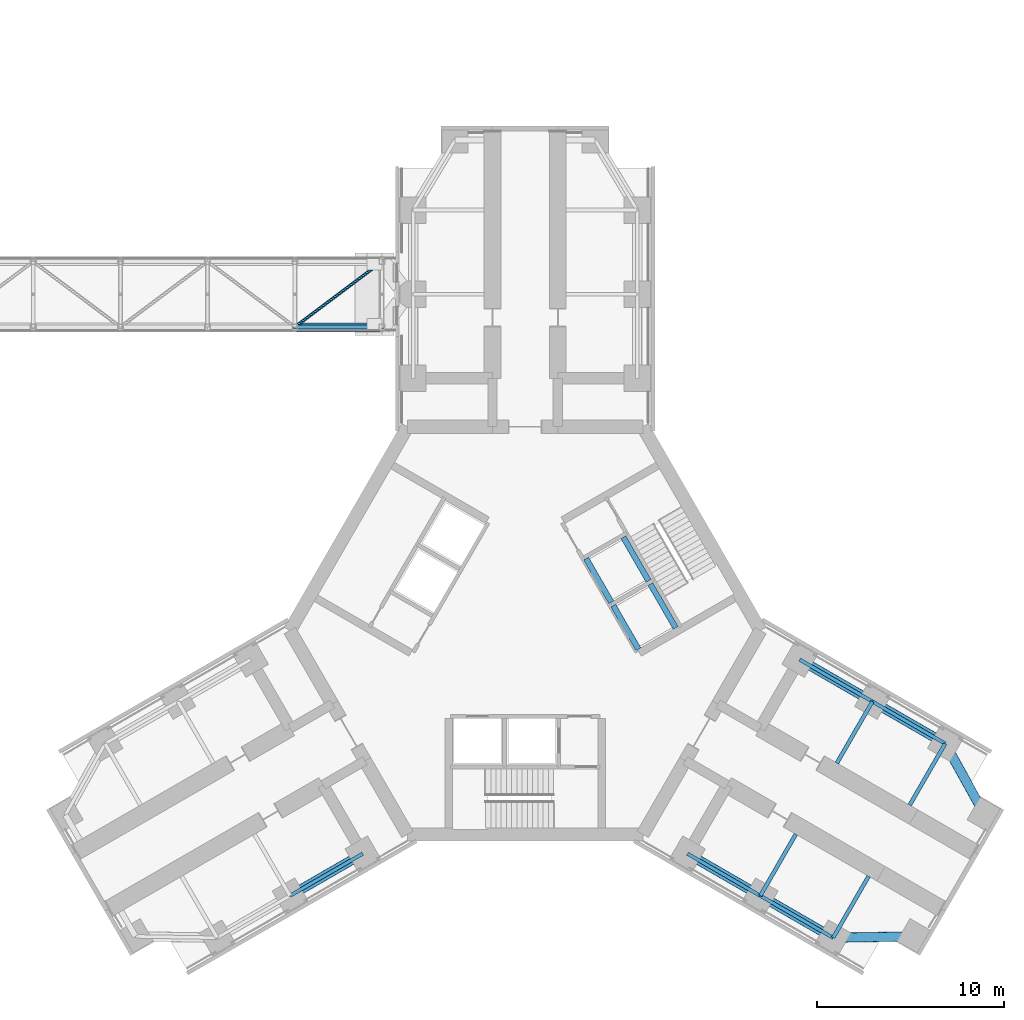
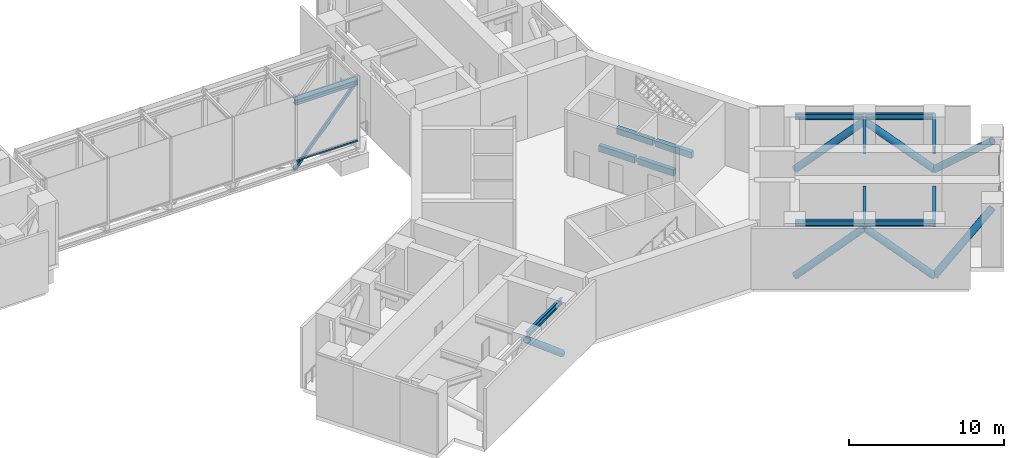
# One storey, part 5 of 17: 13 beams, 11 members, 1 element without a shape of its own.
"""IFC4 building model written with IfcOpenShell, lengths in metres."""

from ifc_helpers import new_model, si_unit, direction, frame, origin, origin_2d, place, context, subcontext, project, spatial, rectangle, hollow_rectangle, hollow_circle, i_section, extrude, material, material_profile, profile_set, type_object, element, aggregate, save


model = new_model("IFC4")

# Units and contexts
model_context = context("Model", 3, precision=1e-05, world=origin(), true_north=direction((0.0, 1.0)))
body_context = subcontext(model_context, "Body", "Model", "MODEL_VIEW")
ifc_project = project(units=[si_unit("LENGTHUNIT", "METRE"), si_unit("AREAUNIT", "SQUARE_METRE"), si_unit("VOLUMEUNIT", "CUBIC_METRE"), si_unit("PLANEANGLEUNIT", "RADIAN"), si_unit("MASSUNIT", "GRAM", prefix="KILO")], contexts=[model_context])

# Site, building, storey
site_placement = place(None, origin())
site = spatial("IfcSite", under=ifc_project, at=site_placement, CompositionType="ELEMENT")
building_placement = place(site_placement, origin())
building = spatial("IfcBuilding", under=site, at=building_placement, Name="Upepo Twin Towers", CompositionType="ELEMENT")
storey_placement = place(building_placement, frame((0.0, 0.0, 92.5)))
storey = spatial("IfcBuildingStorey", under=building, at=storey_placement, Name="L22", CompositionType="ELEMENT", Elevation=92.5)

# Beams
ifc_material_1 = material(Name="Steel S355", Category="steel")
ifc_material_profile_1 = material_profile(ifc_material_1, i_section(OverallWidth=0.1904296875, OverallDepth=0.45703125, WebThickness=0.009033203125, FlangeThickness=0.014404296875, FilletRadius=0.01025390625, at=origin_2d()), Name="UB 457x191x74")
ifc_profile_set_1 = profile_set([ifc_material_profile_1], Name="Steel S355")
beam_type_1 = type_object("IfcBeamType", Name="Beam UB 457x191x74", PredefinedType="BEAM", material=ifc_profile_set_1)
for number, where, z_axis, x_axis, name in (
    (1, (49.80859375, -29.946044921875, 4.571533203125), (-0.866017533419, -0.500013631625, 0.0), (0.500013631625, -0.866017533419, 0.0), "T2 edge beam BL 13.5-18.0"),
    (2, (73.19140625, -19.553955078125, 4.571533203125), (0.866017533419, -0.500013631625, 0.0), (0.500013631625, 0.866017533419, 0.0), "T2 edge beam CL 13.5-18.0"),
):
    element("IfcBeam", number, at=place(storey_placement, frame(where, z_axis=z_axis, x_axis=x_axis)), inside=storey, type_object=beam_type_1, Name=name, PredefinedType="BEAM", context=body_context, shape_type="SweptSolid", body=[
        extrude(i_section(OverallWidth=0.1904296875, OverallDepth=0.45703125, WebThickness=0.009033203125, FlangeThickness=0.014404296875, FilletRadius=0.01025390625, at=origin_2d()), origin(), (0.0, 0.0, 1.0), 4.499755859375),
    ])
beam_1_placement = place(storey_placement, frame((77.08837890625, -21.803955078125, 4.571533203125), z_axis=(0.866031096941, -0.499990139034, 0.0), x_axis=(0.499990139034, 0.866031096941, 0.0)))
element("IfcBeam", 3, at=beam_1_placement, inside=storey, type_object=beam_type_1, Name="T2 edge beam CL 18.0-22.5", PredefinedType="BEAM", context=body_context, shape_type="SweptSolid", body=[
    extrude(i_section(OverallWidth=0.1904296875, OverallDepth=0.45703125, WebThickness=0.009033203125, FlangeThickness=0.014404296875, FilletRadius=0.01025390625, at=origin_2d()), origin(), (0.0, 0.0, 1.0), 4.5),
])
beam_2_placement = place(storey_placement, frame((67.19140625, -29.946044921875, 4.571533203125), z_axis=(0.866017533419, -0.500013631625, 0.0), x_axis=(0.500013631625, 0.866017533419, 0.0)))
element("IfcBeam", 4, at=beam_2_placement, inside=storey, type_object=beam_type_1, Name="T2 edge beam CR 13.5-18.0", PredefinedType="BEAM", context=body_context, shape_type="SweptSolid", body=[
    extrude(i_section(OverallWidth=0.1904296875, OverallDepth=0.45703125, WebThickness=0.009033203125, FlangeThickness=0.014404296875, FilletRadius=0.01025390625, at=origin_2d()), origin(), (0.0, 0.0, 1.0), 4.499755859375),
])
beam_3_placement = place(storey_placement, frame((71.08837890625, -32.196044921875, 4.571533203125), z_axis=(0.866031096941, -0.499990139034, 0.0), x_axis=(0.499990139034, 0.866031096941, 0.0)))
element("IfcBeam", 5, at=beam_3_placement, inside=storey, type_object=beam_type_1, Name="T2 edge beam CR 18.0-22.5", PredefinedType="BEAM", context=body_context, shape_type="SweptSolid", body=[
    extrude(i_section(OverallWidth=0.1904296875, OverallDepth=0.45703125, WebThickness=0.009033203125, FlangeThickness=0.014404296875, FilletRadius=0.01025390625, at=origin_2d()), origin(), (0.0, 0.0, 1.0), 4.5),
])
ifc_material_2 = material(Name="Steel S355", Category="steel")
ifc_material_profile_2 = material_profile(ifc_material_2, i_section(OverallWidth=0.209228515625, OverallDepth=0.533203125, WebThickness=0.010009765625, FlangeThickness=0.015625, FilletRadius=0.0126953125, at=origin_2d()), Name="UB 533x210x92")
ifc_profile_set_2 = profile_set([ifc_material_profile_2], Name="Steel S355")
beam_type_2 = type_object("IfcBeamType", Name="Beam UB 533x210x92", PredefinedType="BEAM", material=ifc_profile_set_2)
for number, where, z_axis, x_axis, name in (
    (6, (77.08837890625, -21.803955078125, 4.533447265625), (-0.499994975061, -0.866028304915, 0.0), (0.866028304915, -0.499994975061, 0.0), "T2 girder CL at 18.0"),
    (7, (80.985595703125, -24.053955078125, 4.533447265625), (-0.499994975061, -0.866028304915, 0.0), (0.866028304915, -0.499994975061, 0.0), "T2 girder CL at 22.5"),
):
    element("IfcBeam", number, at=place(storey_placement, frame(where, z_axis=z_axis, x_axis=x_axis)), inside=storey, type_object=beam_type_2, Name=name, PredefinedType="BEAM", context=body_context, shape_type="SweptSolid", body=[
        extrude(i_section(OverallWidth=0.209228515625, OverallDepth=0.533203125, WebThickness=0.010009765625, FlangeThickness=0.015625, FilletRadius=0.0126953125, at=origin_2d()), origin(), (0.0, 0.0, 1.0), 3.7998046875),
    ])
beam_4_placement = place(storey_placement, frame((71.08837890625, -32.196044921875, 4.533447265625), z_axis=(0.500043160704, 0.866000483506, 0.0), x_axis=(-0.866000483506, 0.500043160704, 0.0)))
element("IfcBeam", 8, at=beam_4_placement, inside=storey, type_object=beam_type_2, Name="T2 girder CR at 18.0", PredefinedType="BEAM", context=body_context, shape_type="SweptSolid", body=[
    extrude(i_section(OverallWidth=0.209228515625, OverallDepth=0.533203125, WebThickness=0.010009765625, FlangeThickness=0.015625, FilletRadius=0.0126953125, at=origin_2d()), origin(), (0.0, 0.0, 1.0), 3.800048828125),
])
beam_5_placement = place(storey_placement, frame((74.985595703125, -34.446044921875, 4.533447265625), z_axis=(0.499994975061, 0.866028304915, 0.0), x_axis=(-0.866028304915, 0.499994975061, 0.0)))
element("IfcBeam", 9, at=beam_5_placement, inside=storey, type_object=beam_type_2, Name="T2 girder CR at 22.5", PredefinedType="BEAM", context=body_context, shape_type="SweptSolid", body=[
    extrude(i_section(OverallWidth=0.209228515625, OverallDepth=0.533203125, WebThickness=0.010009765625, FlangeThickness=0.015625, FilletRadius=0.0126953125, at=origin_2d()), origin(), (0.0, 0.0, 1.0), 3.7998046875),
])

# Members
ifc_material_3 = material(Name="Steel S355", Category="steel")
ifc_material_profile_3 = material_profile(ifc_material_3, hollow_circle(Radius=0.25390625, WallThickness=0.02490234375, at=origin_2d()), Name="CHS 508.0x25.0")
ifc_profile_set_3 = profile_set([ifc_material_profile_3], Name="Steel S355")
member_type_1 = type_object("IfcMemberType", Name="Belt truss diagonal CHS 508.0x25.0", PredefinedType="BRACE", material=ifc_profile_set_3)
for number, where, z_axis, x_axis, name in (
    (10, (49.80859375, -29.946044921875, 0.39990234375), (-0.66165225517, -0.382018994089, 0.645195924804), (0.500013631625, -0.866017533419, 0.0), "T2 belt truss diagonal BL1"),
    (11, (73.19140625, -19.553955078125, 0.39990234375), (0.66165225517, -0.382018994089, 0.645195924804), (0.500013631625, 0.866017533419, 0.0), "T2 belt truss diagonal CL1"),
):
    element("IfcMember", number, at=place(storey_placement, frame(where, z_axis=z_axis, x_axis=x_axis)), inside=storey, type_object=member_type_1, Name=name, PredefinedType="BRACE", context=body_context, shape_type="SweptSolid", body=[
        extrude(hollow_circle(Radius=0.25390625, WallThickness=0.02490234375, at=origin_2d()), origin(), (0.0, 0.0, 1.0), 5.8896484375),
    ])
member_1_placement = place(storey_placement, frame((80.985595703125, -24.053955078125, 0.39990234375), z_axis=(-0.66167555904, 0.382008516702, 0.645178229434), x_axis=(-0.499990139034, -0.866031096941, 0.0)))
element("IfcMember", 12, at=member_1_placement, inside=storey, type_object=member_type_1, Name="T2 belt truss diagonal CL2", PredefinedType="BRACE", context=body_context, shape_type="SweptSolid", body=[
    extrude(hollow_circle(Radius=0.25390625, WallThickness=0.02490234375, at=origin_2d()), origin(), (0.0, 0.0, 1.0), 5.889892578125),
])
member_2_placement = place(storey_placement, frame((80.985595703125, -24.053955078125, 0.39990234375), z_axis=(0.366368792053, -0.659961082626, 0.65591560252), x_axis=(0.874312600038, 0.485363242752, 0.0)))
element("IfcMember", 13, at=member_2_placement, inside=storey, type_object=member_type_1, Name="T2 belt truss nose diagonal CL", PredefinedType="BRACE", context=body_context, shape_type="SweptSolid", body=[
    extrude(hollow_circle(Radius=0.25390625, WallThickness=0.02490234375, at=origin_2d()), origin(), (0.0, 0.0, 1.0), 5.79345703125),
])
member_3_placement = place(storey_placement, frame((67.19140625, -29.946044921875, 0.39990234375), z_axis=(0.66165225517, -0.382018994089, 0.645195924804), x_axis=(0.500013631625, 0.866017533419, 0.0)))
element("IfcMember", 14, at=member_3_placement, inside=storey, type_object=member_type_1, Name="T2 belt truss diagonal CR1", PredefinedType="BRACE", context=body_context, shape_type="SweptSolid", body=[
    extrude(hollow_circle(Radius=0.25390625, WallThickness=0.02490234375, at=origin_2d()), origin(), (0.0, 0.0, 1.0), 5.8896484375),
])
member_4_placement = place(storey_placement, frame((74.985595703125, -34.446044921875, 0.39990234375), z_axis=(-0.66167555904, 0.382008516702, 0.645178229434), x_axis=(-0.499990139034, -0.866031096941, 0.0)))
element("IfcMember", 15, at=member_4_placement, inside=storey, type_object=member_type_1, Name="T2 belt truss diagonal CR2", PredefinedType="BRACE", context=body_context, shape_type="SweptSolid", body=[
    extrude(hollow_circle(Radius=0.25390625, WallThickness=0.02490234375, at=origin_2d()), origin(), (0.0, 0.0, 1.0), 5.889892578125),
])
member_5_placement = place(storey_placement, frame((74.985595703125, -34.446044921875, 0.39990234375), z_axis=(0.754730764906, 0.012684196551, 0.655912024331), x_axis=(-0.016803880528, 0.999858804832, 0.0)))
element("IfcMember", 16, at=member_5_placement, inside=storey, type_object=member_type_1, Name="T2 belt truss nose diagonal CR", PredefinedType="BRACE", context=body_context, shape_type="SweptSolid", body=[
    extrude(hollow_circle(Radius=0.25390625, WallThickness=0.02490234375, at=origin_2d()), origin(), (0.0, 0.0, 1.0), 5.79345703125),
])
ifc_material_4 = material(Name="Steel S355", Category="steel")
ifc_material_profile_4 = material_profile(ifc_material_4, i_section(OverallWidth=0.403076171875, OverallDepth=0.406494140625, WebThickness=0.026611328125, FlangeThickness=0.04296875, FilletRadius=0.01513671875, at=origin_2d()), Name="UC 356x406x340")
ifc_profile_set_4 = profile_set([ifc_material_profile_4], Name="Steel S355")
member_type_2 = type_object("IfcMemberType", Name="Bridge chord UC 356x406x340", PredefinedType="CHORD", material=ifc_profile_set_4)
member_6_placement = place(storey_placement, frame((46.172119140625, -1.75, 4.39990234375), z_axis=(1.0, 0.0, 0.0), x_axis=(0.0, 1.0, 0.0)))
element("IfcMember", 17, at=member_6_placement, inside=storey, type_object=member_type_2, Name="BR1 top chord S5", PredefinedType="CHORD", context=body_context, shape_type="SweptSolid", body=[
    extrude(i_section(OverallWidth=0.403076171875, OverallDepth=0.406494140625, WebThickness=0.026611328125, FlangeThickness=0.04296875, FilletRadius=0.01513671875, at=origin_2d()), origin(), (0.0, 0.0, 1.0), 4.66796875),
])
ifc_material_5 = material(Name="Steel S355", Category="steel")
ifc_material_profile_5 = material_profile(ifc_material_5, hollow_rectangle(XDim=0.199951171875, YDim=0.199951171875, WallThickness=0.010009765625, at=origin_2d()), Name="SHS 200x200x10.0")
ifc_profile_set_5 = profile_set([ifc_material_profile_5], Name="Steel S355")
member_type_3 = type_object("IfcMemberType", Name="Bridge diagonal SHS 200x200x10.0", PredefinedType="BRACE", material=ifc_profile_set_5)
member_7_placement = place(storey_placement, frame((46.172119140625, -1.75, -0.936279296875), z_axis=(0.658409523665, 0.0, 0.75265988278), x_axis=(0.0, 1.0, 0.0)))
element("IfcMember", 18, at=member_7_placement, inside=storey, type_object=member_type_3, Name="BR1 diagonal S5", PredefinedType="BRACE", context=body_context, shape_type="SweptSolid", body=[
    extrude(hollow_rectangle(XDim=0.199951171875, YDim=0.199951171875, WallThickness=0.010009765625, at=origin_2d()), origin(), (0.0, 0.0, 1.0), 7.08984375),
])
ifc_material_6 = material(Name="Steel S355", Category="steel")
ifc_material_profile_6 = material_profile(ifc_material_6, hollow_circle(Radius=0.084228515625, WallThickness=0.008056640625, at=origin_2d()), Name="CHS 168.3x8.0")
ifc_profile_set_6 = profile_set([ifc_material_profile_6], Name="Steel S355")
member_type_4 = type_object("IfcMemberType", Name="Bridge plan brace CHS 168.3x8.0", PredefinedType="BRACE", material=ifc_profile_set_6)
member_8_placement = place(storey_placement, frame((46.172119140625, -1.75, -0.936279296875), z_axis=(0.800080335623, 0.599892870894, 0.0), x_axis=(-0.599892870894, 0.800080335623, 0.0)))
element("IfcMember", 19, at=member_8_placement, inside=storey, type_object=member_type_4, Name="BR1 plan brace 5", PredefinedType="BRACE", context=body_context, shape_type="SweptSolid", body=[
    extrude(hollow_circle(Radius=0.084228515625, WallThickness=0.008056640625, at=origin_2d()), origin(), (0.0, 0.0, 1.0), 5.83447265625),
])

# Beams
ifc_material_7 = material(Name="Concrete C40/50", Category="concrete")
ifc_material_profile_7 = material_profile(ifc_material_7, rectangle(XDim=0.300048828125, YDim=0.5, at=origin_2d()), Name="RC 300x500")
ifc_profile_set_7 = profile_set([ifc_material_profile_7], Name="Concrete C40/50")
beam_type_3 = type_object("IfcBeamType", Name="Lift pit beam RC 300x500", PredefinedType="BEAM", material=ifc_profile_set_7)
for number, where, z_axis, x_axis, name in (
    (20, (64.563720703125, -19.00244140625, 2.85009765625), (-0.500048589285, 0.86599734893, 0.0), (-0.86599734893, -0.500048589285, 0.0), "T2 lift ML1 pit beam 1"),
    (21, (66.555419921875, -17.8525390625, 2.85009765625), (-0.4999416173, 0.866059108428, 0.0), (-0.866059108428, -0.4999416173, 0.0), "T2 lift ML1 pit beam 2"),
):
    element("IfcBeam", number, at=place(storey_placement, frame(where, z_axis=z_axis, x_axis=x_axis)), inside=storey, type_object=beam_type_3, Name=name, PredefinedType="BEAM", context=body_context, shape_type="SweptSolid", body=[
        extrude(rectangle(XDim=0.300048828125, YDim=0.5, at=origin_2d()), origin(), (0.0, 0.0, 1.0), 2.699951171875),
    ])
beam_6_placement = place(storey_placement, frame((63.113525390625, -16.490966796875, 2.85009765625), z_axis=(-0.499980770555, 0.866036505625, 0.0), x_axis=(-0.866036505625, -0.499980770555, 0.0)))
element("IfcBeam", 22, at=beam_6_placement, inside=storey, type_object=beam_type_3, Name="T2 lift ML2 pit beam 1", PredefinedType="BEAM", context=body_context, shape_type="SweptSolid", body=[
    extrude(rectangle(XDim=0.300048828125, YDim=0.5, at=origin_2d()), origin(), (0.0, 0.0, 1.0), 2.69970703125),
])
beam_7_placement = place(storey_placement, frame((65.10546875, -15.341064453125, 2.85009765625), z_axis=(-0.50000943426, 0.866019956843, 0.0), x_axis=(-0.866019956843, -0.50000943426, 0.0)))
element("IfcBeam", 23, at=beam_7_placement, inside=storey, type_object=beam_type_3, Name="T2 lift ML2 pit beam 2", PredefinedType="BEAM", context=body_context, shape_type="SweptSolid", body=[
    extrude(rectangle(XDim=0.300048828125, YDim=0.5, at=origin_2d()), origin(), (0.0, 0.0, 1.0), 2.7001953125),
])

# Curtain wall, member
ifc_material_8 = material(Name="Aluminium and clear glass", Category="aluminium")
curtain_wall_type = type_object("IfcCurtainWallType", Name="Bridge curtain wall BW1", PredefinedType="NOTDEFINED", material=ifc_material_8)
curtain_wall_placement = place(storey_placement, origin())
curtain_wall = element("IfcCurtainWall", 24, at=curtain_wall_placement, inside=storey, type_object=curtain_wall_type, Name="BR1 curtain wall S", PredefinedType="NOTDEFINED")
ifc_material_9 = material(Name="Aluminium transom", Category="aluminium")
ifc_material_profile_8 = material_profile(ifc_material_9, rectangle(XDim=0.06494140625, YDim=0.1201171875, at=origin_2d()), Name="TRANSOM 65x120 BRIDGE")
ifc_profile_set_8 = profile_set([ifc_material_profile_8], Name="Aluminium transom")
member_type_5 = type_object("IfcMemberType", Name="Transom 65x120 BW1", PredefinedType="USERDEFINED", material=ifc_profile_set_8)
member_9_placement = place(storey_placement, frame((46.20458984375, -1.97509765625, -0.139892578125), z_axis=(1.0, 0.0, 0.0), x_axis=(0.0, 1.0, 0.0)))
member_9 = element("IfcMember", 25, at=member_9_placement, type_object=member_type_5, Name="BR1 curtain wall S transom 5", ObjectType="TRANSOM", PredefinedType="USERDEFINED", context=body_context, shape_type="SweptSolid", body=[
    extrude(rectangle(XDim=0.06494140625, YDim=0.1201171875, at=origin_2d()), origin(), (0.0, 0.0, 1.0), 4.5703125),
])
aggregate(curtain_wall, [member_9])

save(model, "model.ifc")
